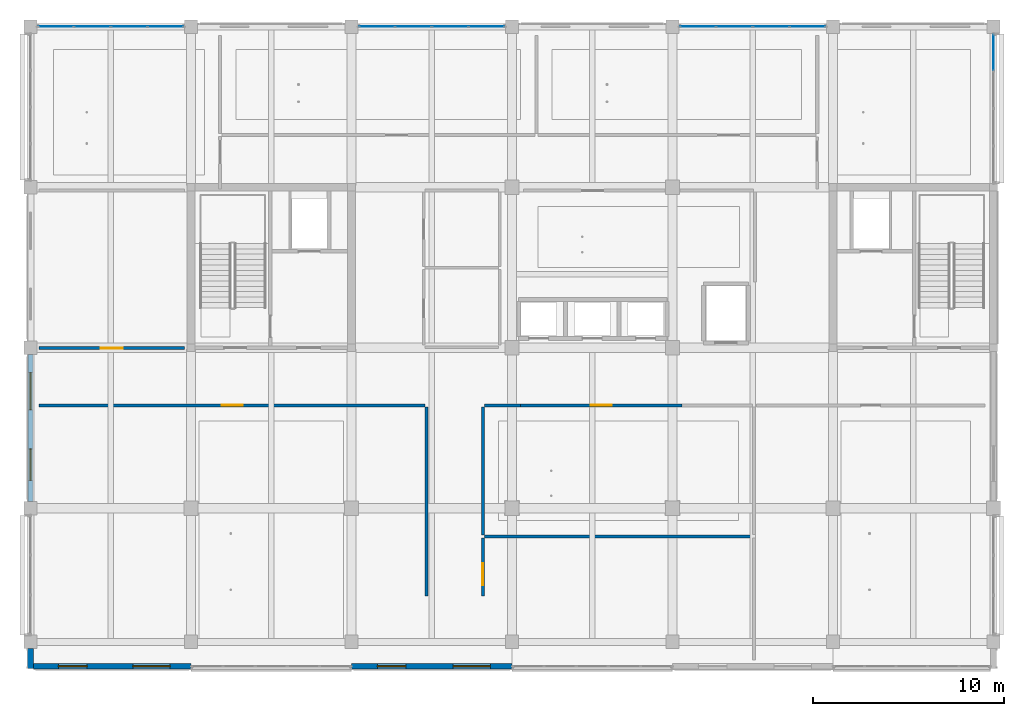
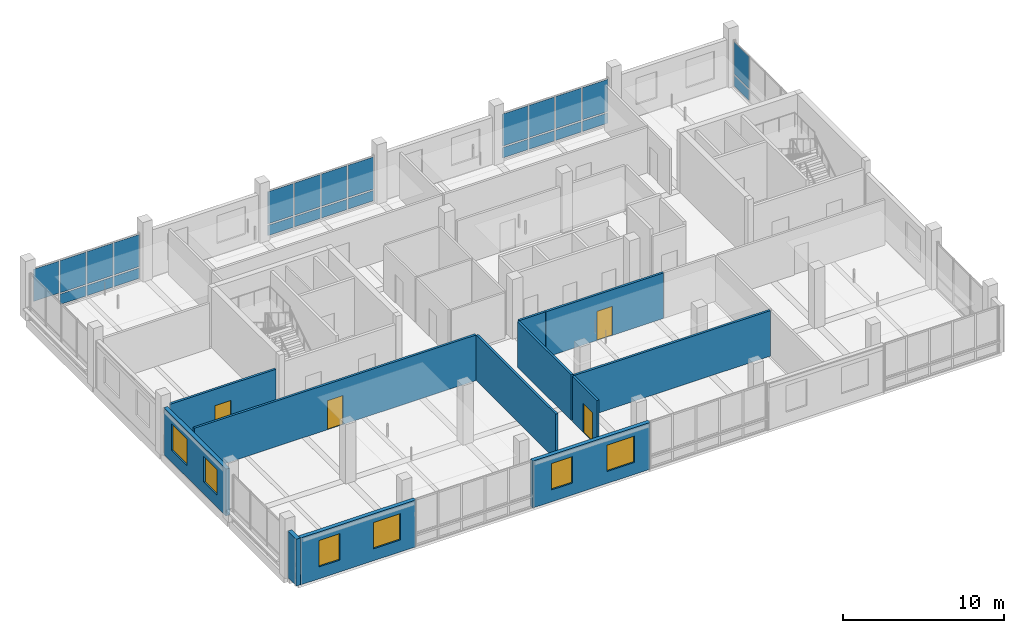
# One storey, part 11 of 35: 25 plates, 12 walls, 6 windows, 4 doors, 10 openings, 4 elements without a shape of their own.
"""IFC4 building model written with IfcOpenShell, lengths in metres."""

from ifc_helpers import new_model, si_unit, direction, frame, frame_2d, origin, origin_2d, place, context, subcontext, project, spatial, rectangle, extrude, material, layer, layer_set, type_object, element, fill, aggregate, save


model = new_model("IFC4")

# Units and contexts
model_context = context("Model", 3, precision=1e-05, world=origin(), true_north=direction((0.0, 1.0)))
body_context = subcontext(model_context, "Body", "Model", "MODEL_VIEW")
ifc_project = project(units=[si_unit("LENGTHUNIT", "METRE"), si_unit("AREAUNIT", "SQUARE_METRE"), si_unit("VOLUMEUNIT", "CUBIC_METRE"), si_unit("PLANEANGLEUNIT", "RADIAN"), si_unit("MASSUNIT", "GRAM", prefix="KILO")], contexts=[model_context])

# Site, building, storey
site_placement = place(None, origin())
site = spatial("IfcSite", under=ifc_project, at=site_placement, CompositionType="ELEMENT")
building_placement = place(site_placement, origin())
building = spatial("IfcBuilding", under=site, at=building_placement, Name="Telukmera Botanical Conservatory", CompositionType="ELEMENT")
storey_placement = place(building_placement, frame((0.0, 0.0, 46.5)))
storey = spatial("IfcBuildingStorey", under=building, at=storey_placement, Name="L10", CompositionType="ELEMENT", Elevation=46.5)

# Curtain wall, plates
ifc_material_1 = material(Name="Anodised aluminium 6063-T6", Category="aluminium")
ifc_layer_1 = layer(ifc_material_1, 0.179931640625)
ifc_layer_set_1 = layer_set([ifc_layer_1], Name="Anodised aluminium 6063-T6")
curtain_wall_type = type_object("IfcCurtainWallType", Name="Tower Research Laboratory Unitised Curtain Wall", PredefinedType="USERDEFINED", material=ifc_layer_set_1)
curtain_wall_1_placement = place(storey_placement, origin())
curtain_wall_1 = element("IfcCurtainWall", 1, at=curtain_wall_1_placement, inside=storey, type_object=curtain_wall_type, Name="Unitised Curtain Wall CW15 V4:L10:N1", ObjectType="UNITISED CURTAIN WALL", PredefinedType="USERDEFINED")
ifc_material_2 = material(Name="Spectrally selective low-E double glazing", Category="glass")
ifc_layer_2 = layer(ifc_material_2, 0.028076171875)
ifc_layer_set_2 = layer_set([ifc_layer_2], Name="Spectrally selective low-E double glazing")
plate_type = type_object("IfcPlateType", Name="Spectrally Selective Vision Double Glazing Panel 28", PredefinedType="CURTAIN_PANEL", material=ifc_layer_set_2)
plate_1_placement = place(storey_placement, frame((51.72900390625, 42.800048828125, 1.0048828125), z_axis=(0.0, 0.0, 1.0), x_axis=(1.0, 0.0, 0.0)))
plate_1 = element("IfcPlate", 2, at=plate_1_placement, type_object=plate_type, Name="CW15 panel 1.2", PredefinedType="CURTAIN_PANEL", context=body_context, shape_type="SweptSolid", body=[
    extrude(rectangle(XDim=1.833984375, YDim=0.028076171875, at=origin_2d()), origin(), (0.0, 0.0, 1.0), 2.43505859375),
])
plate_2_placement = place(storey_placement, frame((53.637939453125, 42.800048828125, 0.10986328125), z_axis=(0.0, 0.0, 1.0), x_axis=(1.0, 0.0, 0.0)))
plate_2 = element("IfcPlate", 3, at=plate_2_placement, type_object=plate_type, Name="CW15 panel 2.1", PredefinedType="CURTAIN_PANEL", context=body_context, shape_type="SweptSolid", body=[
    extrude(rectangle(XDim=1.864013671875, YDim=0.028076171875, at=origin_2d()), origin(), (0.0, 0.0, 1.0), 0.784912109375),
])
plate_3_placement = place(storey_placement, frame((53.637939453125, 42.800048828125, 1.0048828125), z_axis=(0.0, 0.0, 1.0), x_axis=(1.0, 0.0, 0.0)))
plate_3 = element("IfcPlate", 4, at=plate_3_placement, type_object=plate_type, Name="CW15 panel 2.2", PredefinedType="CURTAIN_PANEL", context=body_context, shape_type="SweptSolid", body=[
    extrude(rectangle(XDim=1.864013671875, YDim=0.028076171875, at=origin_2d()), origin(), (0.0, 0.0, 1.0), 2.43505859375),
])
plate_4_placement = place(storey_placement, frame((55.56201171875, 42.800048828125, 0.10986328125), z_axis=(0.0, 0.0, 1.0), x_axis=(1.0, 0.0, 0.0)))
plate_4 = element("IfcPlate", 5, at=plate_4_placement, type_object=plate_type, Name="CW15 panel 3.1", PredefinedType="CURTAIN_PANEL", context=body_context, shape_type="SweptSolid", body=[
    extrude(rectangle(XDim=1.864013671875, YDim=0.028076171875, at=origin_2d()), origin(), (0.0, 0.0, 1.0), 0.784912109375),
])
plate_5_placement = place(storey_placement, frame((55.56201171875, 42.800048828125, 1.0048828125), z_axis=(0.0, 0.0, 1.0), x_axis=(1.0, 0.0, 0.0)))
plate_5 = element("IfcPlate", 6, at=plate_5_placement, type_object=plate_type, Name="CW15 panel 3.2", PredefinedType="CURTAIN_PANEL", context=body_context, shape_type="SweptSolid", body=[
    extrude(rectangle(XDim=1.864013671875, YDim=0.028076171875, at=origin_2d()), origin(), (0.0, 0.0, 1.0), 2.43505859375),
])
plate_6_placement = place(storey_placement, frame((57.470947265625, 42.800048828125, 0.10986328125), z_axis=(0.0, 0.0, 1.0), x_axis=(1.0, 0.0, 0.0)))
plate_6 = element("IfcPlate", 7, at=plate_6_placement, type_object=plate_type, Name="CW15 panel 4.1", PredefinedType="CURTAIN_PANEL", context=body_context, shape_type="SweptSolid", body=[
    extrude(rectangle(XDim=1.833984375, YDim=0.028076171875, at=origin_2d()), origin(), (0.0, 0.0, 1.0), 0.784912109375),
])
plate_7_placement = place(storey_placement, frame((57.470947265625, 42.800048828125, 1.0048828125), z_axis=(0.0, 0.0, 1.0), x_axis=(1.0, 0.0, 0.0)))
plate_7 = element("IfcPlate", 8, at=plate_7_placement, type_object=plate_type, Name="CW15 panel 4.2", PredefinedType="CURTAIN_PANEL", context=body_context, shape_type="SweptSolid", body=[
    extrude(rectangle(XDim=1.833984375, YDim=0.028076171875, at=origin_2d()), origin(), (0.0, 0.0, 1.0), 2.43505859375),
])
aggregate(curtain_wall_1, [plate_1, plate_2, plate_3, plate_4, plate_5, plate_6, plate_7])

curtain_wall_2_placement = place(storey_placement, origin())
curtain_wall_2 = element("IfcCurtainWall", 9, at=curtain_wall_2_placement, inside=storey, type_object=curtain_wall_type, Name="Unitised Curtain Wall CW15 V4:L10:N3", ObjectType="UNITISED CURTAIN WALL", PredefinedType="USERDEFINED")
plate_8_placement = place(storey_placement, frame((68.529052734375, 42.800048828125, 0.10986328125), z_axis=(0.0, 0.0, 1.0), x_axis=(1.0, 0.0, 0.0)))
plate_8 = element("IfcPlate", 10, at=plate_8_placement, type_object=plate_type, Name="CW15 panel 1.1", PredefinedType="CURTAIN_PANEL", context=body_context, shape_type="SweptSolid", body=[
    extrude(rectangle(XDim=1.833984375, YDim=0.028076171875, at=origin_2d()), origin(), (0.0, 0.0, 1.0), 0.784912109375),
])
plate_9_placement = place(storey_placement, frame((68.529052734375, 42.800048828125, 1.0048828125), z_axis=(0.0, 0.0, 1.0), x_axis=(1.0, 0.0, 0.0)))
plate_9 = element("IfcPlate", 11, at=plate_9_placement, type_object=plate_type, Name="CW15 panel 1.2", PredefinedType="CURTAIN_PANEL", context=body_context, shape_type="SweptSolid", body=[
    extrude(rectangle(XDim=1.833984375, YDim=0.028076171875, at=origin_2d()), origin(), (0.0, 0.0, 1.0), 2.43505859375),
])
plate_10_placement = place(storey_placement, frame((70.43798828125, 42.800048828125, 0.10986328125), z_axis=(0.0, 0.0, 1.0), x_axis=(1.0, 0.0, 0.0)))
plate_10 = element("IfcPlate", 12, at=plate_10_placement, type_object=plate_type, Name="CW15 panel 2.1", PredefinedType="CURTAIN_PANEL", context=body_context, shape_type="SweptSolid", body=[
    extrude(rectangle(XDim=1.864013671875, YDim=0.028076171875, at=origin_2d()), origin(), (0.0, 0.0, 1.0), 0.784912109375),
])
plate_11_placement = place(storey_placement, frame((70.43798828125, 42.800048828125, 1.0048828125), z_axis=(0.0, 0.0, 1.0), x_axis=(1.0, 0.0, 0.0)))
plate_11 = element("IfcPlate", 13, at=plate_11_placement, type_object=plate_type, Name="CW15 panel 2.2", PredefinedType="CURTAIN_PANEL", context=body_context, shape_type="SweptSolid", body=[
    extrude(rectangle(XDim=1.864013671875, YDim=0.028076171875, at=origin_2d()), origin(), (0.0, 0.0, 1.0), 2.43505859375),
])
plate_12_placement = place(storey_placement, frame((72.362060546875, 42.800048828125, 0.10986328125), z_axis=(0.0, 0.0, 1.0), x_axis=(1.0, 0.0, 0.0)))
plate_12 = element("IfcPlate", 14, at=plate_12_placement, type_object=plate_type, Name="CW15 panel 3.1", PredefinedType="CURTAIN_PANEL", context=body_context, shape_type="SweptSolid", body=[
    extrude(rectangle(XDim=1.864013671875, YDim=0.028076171875, at=origin_2d()), origin(), (0.0, 0.0, 1.0), 0.784912109375),
])
plate_13_placement = place(storey_placement, frame((72.362060546875, 42.800048828125, 1.0048828125), z_axis=(0.0, 0.0, 1.0), x_axis=(1.0, 0.0, 0.0)))
plate_13 = element("IfcPlate", 15, at=plate_13_placement, type_object=plate_type, Name="CW15 panel 3.2", PredefinedType="CURTAIN_PANEL", context=body_context, shape_type="SweptSolid", body=[
    extrude(rectangle(XDim=1.864013671875, YDim=0.028076171875, at=origin_2d()), origin(), (0.0, 0.0, 1.0), 2.43505859375),
])
plate_14_placement = place(storey_placement, frame((74.27099609375, 42.800048828125, 0.10986328125), z_axis=(0.0, 0.0, 1.0), x_axis=(1.0, 0.0, 0.0)))
plate_14 = element("IfcPlate", 16, at=plate_14_placement, type_object=plate_type, Name="CW15 panel 4.1", PredefinedType="CURTAIN_PANEL", context=body_context, shape_type="SweptSolid", body=[
    extrude(rectangle(XDim=1.833984375, YDim=0.028076171875, at=origin_2d()), origin(), (0.0, 0.0, 1.0), 0.784912109375),
])
plate_15_placement = place(storey_placement, frame((74.27099609375, 42.800048828125, 1.0048828125), z_axis=(0.0, 0.0, 1.0), x_axis=(1.0, 0.0, 0.0)))
plate_15 = element("IfcPlate", 17, at=plate_15_placement, type_object=plate_type, Name="CW15 panel 4.2", PredefinedType="CURTAIN_PANEL", context=body_context, shape_type="SweptSolid", body=[
    extrude(rectangle(XDim=1.833984375, YDim=0.028076171875, at=origin_2d()), origin(), (0.0, 0.0, 1.0), 2.43505859375),
])
aggregate(curtain_wall_2, [plate_8, plate_9, plate_10, plate_11, plate_12, plate_13, plate_14, plate_15])

curtain_wall_3_placement = place(storey_placement, origin())
curtain_wall_3 = element("IfcCurtainWall", 18, at=curtain_wall_3_placement, inside=storey, type_object=curtain_wall_type, Name="Unitised Curtain Wall CW15 V4:L10:N5", ObjectType="UNITISED CURTAIN WALL", PredefinedType="USERDEFINED")
plate_16_placement = place(storey_placement, frame((85.3291015625, 42.800048828125, 0.10986328125), z_axis=(0.0, 0.0, 1.0), x_axis=(1.0, 0.0, 0.0)))
plate_16 = element("IfcPlate", 19, at=plate_16_placement, type_object=plate_type, Name="CW15 panel 1.1", PredefinedType="CURTAIN_PANEL", context=body_context, shape_type="SweptSolid", body=[
    extrude(rectangle(XDim=1.833984375, YDim=0.028076171875, at=origin_2d()), origin(), (0.0, 0.0, 1.0), 0.784912109375),
])
plate_17_placement = place(storey_placement, frame((85.3291015625, 42.800048828125, 1.0048828125), z_axis=(0.0, 0.0, 1.0), x_axis=(1.0, 0.0, 0.0)))
plate_17 = element("IfcPlate", 20, at=plate_17_placement, type_object=plate_type, Name="CW15 panel 1.2", PredefinedType="CURTAIN_PANEL", context=body_context, shape_type="SweptSolid", body=[
    extrude(rectangle(XDim=1.833984375, YDim=0.028076171875, at=origin_2d()), origin(), (0.0, 0.0, 1.0), 2.43505859375),
])
plate_18_placement = place(storey_placement, frame((87.238037109375, 42.800048828125, 0.10986328125), z_axis=(0.0, 0.0, 1.0), x_axis=(1.0, 0.0, 0.0)))
plate_18 = element("IfcPlate", 21, at=plate_18_placement, type_object=plate_type, Name="CW15 panel 2.1", PredefinedType="CURTAIN_PANEL", context=body_context, shape_type="SweptSolid", body=[
    extrude(rectangle(XDim=1.864013671875, YDim=0.028076171875, at=origin_2d()), origin(), (0.0, 0.0, 1.0), 0.784912109375),
])
plate_19_placement = place(storey_placement, frame((87.238037109375, 42.800048828125, 1.0048828125), z_axis=(0.0, 0.0, 1.0), x_axis=(1.0, 0.0, 0.0)))
plate_19 = element("IfcPlate", 22, at=plate_19_placement, type_object=plate_type, Name="CW15 panel 2.2", PredefinedType="CURTAIN_PANEL", context=body_context, shape_type="SweptSolid", body=[
    extrude(rectangle(XDim=1.864013671875, YDim=0.028076171875, at=origin_2d()), origin(), (0.0, 0.0, 1.0), 2.43505859375),
])
plate_20_placement = place(storey_placement, frame((89.162109375, 42.800048828125, 0.10986328125), z_axis=(0.0, 0.0, 1.0), x_axis=(1.0, 0.0, 0.0)))
plate_20 = element("IfcPlate", 23, at=plate_20_placement, type_object=plate_type, Name="CW15 panel 3.1", PredefinedType="CURTAIN_PANEL", context=body_context, shape_type="SweptSolid", body=[
    extrude(rectangle(XDim=1.864013671875, YDim=0.028076171875, at=origin_2d()), origin(), (0.0, 0.0, 1.0), 0.784912109375),
])
plate_21_placement = place(storey_placement, frame((89.162109375, 42.800048828125, 1.0048828125), z_axis=(0.0, 0.0, 1.0), x_axis=(1.0, 0.0, 0.0)))
plate_21 = element("IfcPlate", 24, at=plate_21_placement, type_object=plate_type, Name="CW15 panel 3.2", PredefinedType="CURTAIN_PANEL", context=body_context, shape_type="SweptSolid", body=[
    extrude(rectangle(XDim=1.864013671875, YDim=0.028076171875, at=origin_2d()), origin(), (0.0, 0.0, 1.0), 2.43505859375),
])
plate_22_placement = place(storey_placement, frame((91.071044921875, 42.800048828125, 0.10986328125), z_axis=(0.0, 0.0, 1.0), x_axis=(1.0, 0.0, 0.0)))
plate_22 = element("IfcPlate", 25, at=plate_22_placement, type_object=plate_type, Name="CW15 panel 4.1", PredefinedType="CURTAIN_PANEL", context=body_context, shape_type="SweptSolid", body=[
    extrude(rectangle(XDim=1.833984375, YDim=0.028076171875, at=origin_2d()), origin(), (0.0, 0.0, 1.0), 0.784912109375),
])
plate_23_placement = place(storey_placement, frame((91.071044921875, 42.800048828125, 1.0048828125), z_axis=(0.0, 0.0, 1.0), x_axis=(1.0, 0.0, 0.0)))
plate_23 = element("IfcPlate", 26, at=plate_23_placement, type_object=plate_type, Name="CW15 panel 4.2", PredefinedType="CURTAIN_PANEL", context=body_context, shape_type="SweptSolid", body=[
    extrude(rectangle(XDim=1.833984375, YDim=0.028076171875, at=origin_2d()), origin(), (0.0, 0.0, 1.0), 2.43505859375),
])
aggregate(curtain_wall_3, [plate_16, plate_17, plate_18, plate_19, plate_20, plate_21, plate_22, plate_23])

curtain_wall_4_placement = place(storey_placement, origin())
curtain_wall_4 = element("IfcCurtainWall", 27, at=curtain_wall_4_placement, inside=storey, type_object=curtain_wall_type, Name="Unitised Curtain Wall CW15 V4:L10:E4", ObjectType="UNITISED CURTAIN WALL", PredefinedType="USERDEFINED")
plate_24_placement = place(storey_placement, frame((100.800048828125, 41.4521484375, 0.10986328125), z_axis=(0.0, 0.0, 1.0), x_axis=(0.0, 1.0, 0.0)))
plate_24 = element("IfcPlate", 28, at=plate_24_placement, type_object=plate_type, Name="CW15 panel 4.1", PredefinedType="CURTAIN_PANEL", context=body_context, shape_type="SweptSolid", body=[
    extrude(rectangle(XDim=1.87158203125, YDim=0.028076171875, at=origin_2d()), origin(), (0.0, 0.0, 1.0), 0.784912109375),
])
plate_25_placement = place(storey_placement, frame((100.800048828125, 41.4521484375, 1.0048828125), z_axis=(0.0, 0.0, 1.0), x_axis=(0.0, 1.0, 0.0)))
plate_25 = element("IfcPlate", 29, at=plate_25_placement, type_object=plate_type, Name="CW15 panel 4.2", PredefinedType="CURTAIN_PANEL", context=body_context, shape_type="SweptSolid", body=[
    extrude(rectangle(XDim=1.87158203125, YDim=0.028076171875, at=origin_2d()), origin(), (0.0, 0.0, 1.0), 2.43505859375),
])
aggregate(curtain_wall_4, [plate_24, plate_25])

# Wall, openings, windows
ifc_material_3 = material(Name="Precast concrete C40/50", Category="concrete")
ifc_layer_3 = layer(ifc_material_3, 0.280029296875)
ifc_layer_set_3 = layer_set([ifc_layer_3], Name="Precast concrete C40/50")
wall_type_1 = type_object("IfcWallType", Name="Exterior Laboratory Modular Precast Wall 280", PredefinedType="ELEMENTEDWALL", material=ifc_layer_set_3)
wall_1_placement = place(storey_placement, frame((50.552001953125, 9.320068359375, 0.0), z_axis=(0.0, 0.0, 1.0), x_axis=(1.0, 0.0, 0.0)))
wall_1 = element("IfcWall", 30, at=wall_1_placement, inside=storey, type_object=wall_type_1, Name="Exterior Precast Wall EW06 V4:L10:S1", PredefinedType="ELEMENTEDWALL", context=body_context, shape_type="SweptSolid", body=[
    extrude(rectangle(XDim=8.24609375, YDim=0.280029296875, at=frame_2d((4.123046875, 0.0))), origin(), (0.0, 0.0, 1.0), 3.550048828125),
])
opening_1_placement = place(wall_1_placement, frame((1.3115234375, 0.0, 0.89990234375)))
opening_1 = element("IfcOpeningElement", 31, at=opening_1_placement, cuts=wall_1, Name="Opening W06", PredefinedType="OPENING", context=body_context, shape_type="SweptSolid", body=[
    extrude(rectangle(XDim=1.5, YDim=2.0, at=frame_2d((0.75, 1.0))), frame((0.0, 0.14990234375, 0.0), z_axis=(0.0, -1.0, 0.0), x_axis=(1.0, 0.0, 0.0)), (0.0, 0.0, 1.0), 0.300048828125),
])
opening_2_placement = place(wall_1_placement, frame((5.20947265625, 0.0, 0.89990234375)))
opening_2 = element("IfcOpeningElement", 32, at=opening_2_placement, cuts=wall_1, Name="Opening W13", PredefinedType="OPENING", context=body_context, shape_type="SweptSolid", body=[
    extrude(rectangle(XDim=1.949951171875, YDim=2.0, at=frame_2d((0.97509765625, 1.0))), frame((0.0, 0.14990234375, 0.0), z_axis=(0.0, -1.0, 0.0), x_axis=(1.0, 0.0, 0.0)), (0.0, 0.0, 1.0), 0.300048828125),
])
ifc_material_4 = material(Name="Thermally broken anodised aluminium frame with low-E double glazing", Category="aluminium")
window_type_1 = type_object("IfcWindowType", Name="Double Vertical Laboratory Viewing Window 1500x2000", PartitioningType="DOUBLE_PANEL_VERTICAL", PredefinedType="WINDOW", material=ifc_material_4)
window_1_placement = place(opening_1_placement, origin())
window_1 = element("IfcWindow", 33, at=window_1_placement, inside=storey, type_object=window_type_1, Name="Facade Window W06 V4:L10:S1 1", OverallHeight=2.0, OverallWidth=1.5, PartitioningType="DOUBLE_PANEL_VERTICAL", PredefinedType="WINDOW", context=body_context, shape_type="SweptSolid", body=[
    extrude(rectangle(XDim=1.5, YDim=2.0, at=frame_2d((0.75, 1.0))), frame((0.0, 0.030029296875, 0.0), z_axis=(0.0, -1.0, 0.0), x_axis=(1.0, 0.0, 0.0)), (0.0, 0.0, 1.0), 0.06005859375),
])
fill(opening_1, window_1)
window_type_2 = type_object("IfcWindowType", Name="Triple Vertical Tissue Culture Lab Window 1950x2000", PartitioningType="TRIPLE_PANEL_VERTICAL", PredefinedType="WINDOW", material=ifc_material_4)
window_2_placement = place(opening_2_placement, origin())
window_2 = element("IfcWindow", 34, at=window_2_placement, inside=storey, type_object=window_type_2, Name="Facade Window W13 V4:L10:S1 2", OverallHeight=2.0, OverallWidth=1.949951171875, PartitioningType="TRIPLE_PANEL_VERTICAL", PredefinedType="WINDOW", context=body_context, shape_type="SweptSolid", body=[
    extrude(rectangle(XDim=1.949951171875, YDim=2.0, at=frame_2d((0.97509765625, 1.0))), frame((0.0, 0.030029296875, 0.0), z_axis=(0.0, -1.0, 0.0), x_axis=(1.0, 0.0, 0.0)), (0.0, 0.0, 1.0), 0.06005859375),
])
fill(opening_2, window_2)

wall_2_placement = place(storey_placement, frame((67.201904296875, 9.320068359375, 0.0), z_axis=(0.0, 0.0, 1.0), x_axis=(1.0, 0.0, 0.0)))
wall_2 = element("IfcWall", 35, at=wall_2_placement, inside=storey, type_object=wall_type_1, Name="Exterior Precast Wall EW06 V4:L10:S3", PredefinedType="ELEMENTEDWALL", context=body_context, shape_type="SweptSolid", body=[
    extrude(rectangle(XDim=8.39599609375, YDim=0.280029296875, at=frame_2d((4.197998046875, 0.0))), origin(), (0.0, 0.0, 1.0), 3.550048828125),
])
opening_3_placement = place(wall_2_placement, frame((1.34912109375, 0.0, 0.89990234375)))
opening_3 = element("IfcOpeningElement", 36, at=opening_3_placement, cuts=wall_2, Name="Opening W06", PredefinedType="OPENING", context=body_context, shape_type="SweptSolid", body=[
    extrude(rectangle(XDim=1.5, YDim=2.0, at=frame_2d((0.75, 1.0))), frame((0.0, 0.14990234375, 0.0), z_axis=(0.0, -1.0, 0.0), x_axis=(1.0, 0.0, 0.0)), (0.0, 0.0, 1.0), 0.300048828125),
])
opening_4_placement = place(wall_2_placement, frame((5.322021484375, 0.0, 0.89990234375)))
opening_4 = element("IfcOpeningElement", 37, at=opening_4_placement, cuts=wall_2, Name="Opening W13", PredefinedType="OPENING", context=body_context, shape_type="SweptSolid", body=[
    extrude(rectangle(XDim=1.949951171875, YDim=2.0, at=frame_2d((0.97509765625, 1.0))), frame((0.0, 0.14990234375, 0.0), z_axis=(0.0, -1.0, 0.0), x_axis=(1.0, 0.0, 0.0)), (0.0, 0.0, 1.0), 0.300048828125),
])
window_3_placement = place(opening_3_placement, origin())
window_3 = element("IfcWindow", 38, at=window_3_placement, inside=storey, type_object=window_type_1, Name="Facade Window W06 V4:L10:S3 1", OverallHeight=2.0, OverallWidth=1.5, PartitioningType="DOUBLE_PANEL_VERTICAL", PredefinedType="WINDOW", context=body_context, shape_type="SweptSolid", body=[
    extrude(rectangle(XDim=1.5, YDim=2.0, at=frame_2d((0.75, 1.0))), frame((0.0, 0.030029296875, 0.0), z_axis=(0.0, -1.0, 0.0), x_axis=(1.0, 0.0, 0.0)), (0.0, 0.0, 1.0), 0.06005859375),
])
fill(opening_3, window_3)
window_4_placement = place(opening_4_placement, origin())
window_4 = element("IfcWindow", 39, at=window_4_placement, inside=storey, type_object=window_type_2, Name="Facade Window W13 V4:L10:S3 2", OverallHeight=2.0, OverallWidth=1.949951171875, PartitioningType="TRIPLE_PANEL_VERTICAL", PredefinedType="WINDOW", context=body_context, shape_type="SweptSolid", body=[
    extrude(rectangle(XDim=1.949951171875, YDim=2.0, at=frame_2d((0.97509765625, 1.0))), frame((0.0, 0.030029296875, 0.0), z_axis=(0.0, -1.0, 0.0), x_axis=(1.0, 0.0, 0.0)), (0.0, 0.0, 1.0), 0.06005859375),
])
fill(opening_4, window_4)

wall_3_placement = place(storey_placement, frame((50.39990234375, 17.951904296875, 0.0), z_axis=(0.0, 0.0, 1.0), x_axis=(0.0, 1.0, 0.0)))
wall_3 = element("IfcWall", 40, at=wall_3_placement, inside=storey, type_object=wall_type_1, Name="Exterior Precast Wall EW06 V4:L10:W2", PredefinedType="ELEMENTEDWALL", context=body_context, shape_type="SweptSolid", body=[
    extrude(rectangle(XDim=7.696044921875, YDim=0.280029296875, at=frame_2d((3.84814453125, 0.0))), origin(), (0.0, 0.0, 1.0), 3.550048828125),
])
opening_5_placement = place(wall_3_placement, frame((1.09912109375, 0.0, 0.89990234375)))
opening_5 = element("IfcOpeningElement", 41, at=opening_5_placement, cuts=wall_3, Name="Opening W10", PredefinedType="OPENING", context=body_context, shape_type="SweptSolid", body=[
    extrude(rectangle(XDim=1.64990234375, YDim=1.949951171875, at=frame_2d((0.824951171875, 0.97509765625))), frame((0.0, 0.14990234375, 0.0), z_axis=(0.0, -1.0, 0.0), x_axis=(1.0, 0.0, 0.0)), (0.0, 0.0, 1.0), 0.300048828125),
])
opening_6_placement = place(wall_3_placement, frame((4.797119140625, 0.0, 0.89990234375)))
opening_6 = element("IfcOpeningElement", 42, at=opening_6_placement, cuts=wall_3, Name="Opening W13", PredefinedType="OPENING", context=body_context, shape_type="SweptSolid", body=[
    extrude(rectangle(XDim=1.949951171875, YDim=2.0, at=frame_2d((0.97509765625, 1.0))), frame((0.0, 0.14990234375, 0.0), z_axis=(0.0, -1.0, 0.0), x_axis=(1.0, 0.0, 0.0)), (0.0, 0.0, 1.0), 0.300048828125),
])
window_type_3 = type_object("IfcWindowType", Name="Double Horizontal Phytochemistry Lab Window 1650x1950", PartitioningType="DOUBLE_PANEL_HORIZONTAL", PredefinedType="WINDOW", material=ifc_material_4)
window_5_placement = place(opening_5_placement, origin())
window_5 = element("IfcWindow", 43, at=window_5_placement, inside=storey, type_object=window_type_3, Name="Facade Window W10 V4:L10:W2 1", OverallHeight=1.949951171875, OverallWidth=1.64990234375, PartitioningType="DOUBLE_PANEL_HORIZONTAL", PredefinedType="WINDOW", context=body_context, shape_type="SweptSolid", body=[
    extrude(rectangle(XDim=1.64990234375, YDim=1.949951171875, at=frame_2d((0.824951171875, 0.97509765625))), frame((0.0, 0.030029296875, 0.0), z_axis=(0.0, -1.0, 0.0), x_axis=(1.0, 0.0, 0.0)), (0.0, 0.0, 1.0), 0.06005859375),
])
fill(opening_5, window_5)
window_6_placement = place(opening_6_placement, origin())
window_6 = element("IfcWindow", 44, at=window_6_placement, inside=storey, type_object=window_type_2, Name="Facade Window W13 V4:L10:W2 2", OverallHeight=2.0, OverallWidth=1.949951171875, PartitioningType="TRIPLE_PANEL_VERTICAL", PredefinedType="WINDOW", context=body_context, shape_type="SweptSolid", body=[
    extrude(rectangle(XDim=1.949951171875, YDim=2.0, at=frame_2d((0.97509765625, 1.0))), frame((0.0, 0.030029296875, 0.0), z_axis=(0.0, -1.0, 0.0), x_axis=(1.0, 0.0, 0.0)), (0.0, 0.0, 1.0), 0.06005859375),
])
fill(opening_6, window_6)

# Wall
ifc_material_5 = material(Name="Terracotta-faced precast concrete C40/50", Category="masonry")
ifc_layer_4 = layer(ifc_material_5, 0.300048828125)
ifc_layer_set_4 = layer_set([ifc_layer_4], Name="Terracotta-faced precast concrete C40/50")
wall_type_2 = type_object("IfcWallType", Name="Exterior Polychrome Terracotta Precast Wall 300", PredefinedType="SOLIDWALL", material=ifc_layer_set_4)
wall_4_placement = place(storey_placement, frame((50.39990234375, 9.199951171875, 0.0), z_axis=(0.0, 0.0, 1.0), x_axis=(0.0, 1.0, 0.0)))
element("IfcWall", 45, at=wall_4_placement, inside=storey, type_object=wall_type_2, Name="Exterior Precast Wall EW02 V4:L10:SWC", PredefinedType="SOLIDWALL", context=body_context, shape_type="SweptSolid", body=[
    extrude(rectangle(XDim=1.048095703125, YDim=0.300048828125, at=frame_2d((0.52392578125, 0.0))), origin(), (0.0, 0.0, 1.0), 3.550048828125),
])

# Wall, opening, door
ifc_material_6 = material(Name="Gypsum acoustic stud partition")
ifc_layer_5 = layer(ifc_material_6, 0.159912109375)
ifc_layer_set_5 = layer_set([ifc_layer_5], Name="Gypsum acoustic stud partition")
wall_type_3 = type_object("IfcWallType", Name="WT-LAB-160", PredefinedType="PARTITIONING", material=ifc_layer_set_5)
wall_5_placement = place(storey_placement, frame((50.85009765625, 25.97509765625, 0.0), z_axis=(0.0, 0.0, 1.0), x_axis=(1.0, 0.0, 0.0)))
wall_5 = element("IfcWall", 46, at=wall_5_placement, inside=storey, type_object=wall_type_3, Name="L10 Interior Partition 09", PredefinedType="PARTITIONING", context=body_context, shape_type="SweptSolid", body=[
    extrude(rectangle(XDim=7.599853515625, YDim=0.159912109375, at=frame_2d((3.7998046875, 0.0))), origin(), (0.0, 0.0, 1.0), 3.449951171875),
])
opening_7_placement = place(wall_5_placement, frame((3.22998046875, 0.0, 0.0)))
opening_7 = element("IfcOpeningElement", 47, at=opening_7_placement, cuts=wall_5, Name="Opening ID10", PredefinedType="OPENING", context=body_context, shape_type="SweptSolid", body=[
    extrude(rectangle(XDim=1.139892578125, YDim=2.219970703125, at=frame_2d((0.56982421875, 1.10986328125))), frame((0.0, 0.08984375, 0.0), z_axis=(0.0, -1.0, 0.0), x_axis=(1.0, 0.0, 0.0)), (0.0, 0.0, 1.0), 0.179931640625),
])
ifc_material_7 = material(Name="Sealed steel herbarium door", Category="steel")
door_type_1 = type_object("IfcDoorType", Name="DT-HERB-114", OperationType="NOTDEFINED", PredefinedType="DOOR", material=ifc_material_7)
door_1_placement = place(opening_7_placement, origin())
door_1 = element("IfcDoor", 48, at=door_1_placement, inside=storey, type_object=door_type_1, Name="L10 Cryopreservation Preparation Room Door", OperationType="SINGLE_SWING_RIGHT", OverallHeight=2.219970703125, OverallWidth=1.139892578125, PredefinedType="DOOR", context=body_context, shape_type="SweptSolid", body=[
    extrude(rectangle(XDim=1.139892578125, YDim=2.219970703125, at=frame_2d((0.56982421875, 1.10986328125))), frame((0.0, 0.02490234375, 0.0), z_axis=(0.0, -1.0, 0.0), x_axis=(1.0, 0.0, 0.0)), (0.0, 0.0, 1.0), 0.050048828125),
])
fill(opening_7, door_1)

wall_6_placement = place(storey_placement, frame((76.050048828125, 22.97509765625, 0.0), z_axis=(0.0, 0.0, 1.0), x_axis=(1.0, 0.0, 0.0)))
wall_6 = element("IfcWall", 49, at=wall_6_placement, inside=storey, type_object=wall_type_3, Name="L10 Interior Partition 11", PredefinedType="PARTITIONING", context=body_context, shape_type="SweptSolid", body=[
    extrude(rectangle(XDim=8.449951171875, YDim=0.159912109375, at=frame_2d((4.22509765625, 0.0))), origin(), (0.0, 0.0, 1.0), 3.449951171875),
])
opening_8_placement = place(wall_6_placement, frame((3.675048828125, 0.0, 0.0)))
opening_8 = element("IfcOpeningElement", 50, at=opening_8_placement, cuts=wall_6, Name="Opening ID11", PredefinedType="OPENING", context=body_context, shape_type="SweptSolid", body=[
    extrude(rectangle(XDim=1.10009765625, YDim=2.199951171875, at=frame_2d((0.550048828125, 1.10009765625))), frame((0.0, 0.08984375, 0.0), z_axis=(0.0, -1.0, 0.0), x_axis=(1.0, 0.0, 0.0)), (0.0, 0.0, 1.0), 0.179931640625),
])
ifc_material_8 = material(Name="Flush cleanroom laboratory door")
door_type_2 = type_object("IfcDoorType", Name="DT-TC-110", OperationType="NOTDEFINED", PredefinedType="DOOR", material=ifc_material_8)
door_2_placement = place(opening_8_placement, frame((1.10009765625, 0.0, 0.0), z_axis=(0.0, 0.0, 1.0), x_axis=(-1.0, 0.0, 0.0)))
door_2 = element("IfcDoor", 51, at=door_2_placement, inside=storey, type_object=door_type_2, Name="L10 In Vitro Micropropagation Room Door", OperationType="SINGLE_SWING_RIGHT", OverallHeight=2.199951171875, OverallWidth=1.10009765625, PredefinedType="DOOR", context=body_context, shape_type="SweptSolid", body=[
    extrude(rectangle(XDim=1.10009765625, YDim=2.199951171875, at=frame_2d((0.550048828125, 1.10009765625))), frame((0.0, 0.02490234375, 0.0), z_axis=(0.0, -1.0, 0.0), x_axis=(1.0, 0.0, 0.0)), (0.0, 0.0, 1.0), 0.050048828125),
])
fill(opening_8, door_2)

wall_7_placement = place(storey_placement, frame((50.85009765625, 22.97509765625, 0.0), z_axis=(0.0, 0.0, 1.0), x_axis=(1.0, 0.0, 0.0)))
wall_7 = element("IfcWall", 52, at=wall_7_placement, inside=storey, type_object=wall_type_3, Name="L10 Interior Partition 13", PredefinedType="PARTITIONING", context=body_context, shape_type="SweptSolid", body=[
    extrude(rectangle(XDim=20.199951171875, YDim=0.159912109375, at=frame_2d((10.10009765625, 0.0))), origin(), (0.0, 0.0, 1.0), 3.449951171875),
])
opening_9_placement = place(wall_7_placement, frame((9.550048828125, 0.0, 0.0)))
opening_9 = element("IfcOpeningElement", 53, at=opening_9_placement, cuts=wall_7, Name="Opening ID11", PredefinedType="OPENING", context=body_context, shape_type="SweptSolid", body=[
    extrude(rectangle(XDim=1.10009765625, YDim=2.199951171875, at=frame_2d((0.550048828125, 1.10009765625))), frame((0.0, 0.08984375, 0.0), z_axis=(0.0, -1.0, 0.0), x_axis=(1.0, 0.0, 0.0)), (0.0, 0.0, 1.0), 0.179931640625),
])
door_3_placement = place(opening_9_placement, frame((1.10009765625, 0.0, 0.0), z_axis=(0.0, 0.0, 1.0), x_axis=(-1.0, 0.0, 0.0)))
door_3 = element("IfcDoor", 54, at=door_3_placement, inside=storey, type_object=door_type_2, Name="L10 Tissue Culture Laboratory Door", OperationType="SINGLE_SWING_LEFT", OverallHeight=2.199951171875, OverallWidth=1.10009765625, PredefinedType="DOOR", context=body_context, shape_type="SweptSolid", body=[
    extrude(rectangle(XDim=1.10009765625, YDim=2.199951171875, at=frame_2d((0.550048828125, 1.10009765625))), frame((0.0, 0.02490234375, 0.0), z_axis=(0.0, -1.0, 0.0), x_axis=(1.0, 0.0, 0.0)), (0.0, 0.0, 1.0), 0.050048828125),
])
fill(opening_9, door_3)

# Walls
wall_8_placement = place(storey_placement, frame((74.14990234375, 22.97509765625, 0.0), z_axis=(0.0, 0.0, 1.0), x_axis=(1.0, 0.0, 0.0)))
element("IfcWall", 55, at=wall_8_placement, inside=storey, type_object=wall_type_3, Name="L10 Interior Partition 14", PredefinedType="PARTITIONING", context=body_context, shape_type="SweptSolid", body=[
    extrude(rectangle(XDim=1.89013671875, YDim=0.159912109375, at=frame_2d((0.945068359375, 0.0))), origin(), (0.0, 0.0, 1.0), 3.449951171875),
])
wall_9_placement = place(storey_placement, frame((71.125, 13.0, 0.0), z_axis=(0.0, 0.0, 1.0), x_axis=(0.0, 1.0, 0.0)))
element("IfcWall", 56, at=wall_9_placement, inside=storey, type_object=wall_type_3, Name="L10 Interior Partition 16", PredefinedType="PARTITIONING", context=body_context, shape_type="SweptSolid", body=[
    extrude(rectangle(XDim=9.885009765625, YDim=0.159912109375, at=frame_2d((4.9423828125, 0.0))), origin(), (0.0, 0.0, 1.0), 3.449951171875),
])
wall_10_placement = place(storey_placement, frame((74.074951171875, 16.199951171875, 0.0), z_axis=(0.0, 0.0, 1.0), x_axis=(0.0, 1.0, 0.0)))
element("IfcWall", 57, at=wall_10_placement, inside=storey, type_object=wall_type_3, Name="L10 Interior Partition 17", PredefinedType="PARTITIONING", context=body_context, shape_type="SweptSolid", body=[
    extrude(rectangle(XDim=6.68505859375, YDim=0.159912109375, at=frame_2d((3.342529296875, 0.0))), origin(), (0.0, 0.0, 1.0), 3.449951171875),
])

# Wall, opening, door
wall_11_placement = place(storey_placement, frame((74.074951171875, 13.0, 0.0), z_axis=(0.0, 0.0, 1.0), x_axis=(0.0, 1.0, 0.0)))
wall_11 = element("IfcWall", 58, at=wall_11_placement, inside=storey, type_object=wall_type_3, Name="L10 Interior Partition 18", PredefinedType="PARTITIONING", context=body_context, shape_type="SweptSolid", body=[
    extrude(rectangle(XDim=3.050048828125, YDim=0.159912109375, at=frame_2d((1.52490234375, 0.0))), origin(), (0.0, 0.0, 1.0), 3.449951171875),
])
opening_10_placement = place(wall_11_placement, frame((0.558837890625, 0.0, 0.0)))
opening_10 = element("IfcOpeningElement", 59, at=opening_10_placement, cuts=wall_11, Name="Opening ID09", PredefinedType="OPENING", context=body_context, shape_type="SweptSolid", body=[
    extrude(rectangle(XDim=1.159912109375, YDim=2.199951171875, at=frame_2d((0.580078125, 1.10009765625))), frame((0.0, 0.08984375, 0.0), z_axis=(0.0, -1.0, 0.0), x_axis=(1.0, 0.0, 0.0)), (0.0, 0.0, 1.0), 0.179931640625),
])
ifc_material_9 = material(Name="Phenolic faced laboratory fire door")
door_type_3 = type_object("IfcDoorType", Name="DT-LAB-116", OperationType="NOTDEFINED", PredefinedType="DOOR", material=ifc_material_9)
door_4_placement = place(opening_10_placement, frame((1.159912109375, 0.0, 0.0), z_axis=(0.0, 0.0, 1.0), x_axis=(-1.0, 0.0, 0.0)))
door_4 = element("IfcDoor", 60, at=door_4_placement, inside=storey, type_object=door_type_3, Name="L10 Photoperiod Growth Chamber Room Door", OperationType="SINGLE_SWING_LEFT", OverallHeight=2.199951171875, OverallWidth=1.159912109375, PredefinedType="DOOR", context=body_context, shape_type="SweptSolid", body=[
    extrude(rectangle(XDim=1.159912109375, YDim=2.199951171875, at=frame_2d((0.580078125, 1.10009765625))), frame((0.0, 0.02490234375, 0.0), z_axis=(0.0, -1.0, 0.0), x_axis=(1.0, 0.0, 0.0)), (0.0, 0.0, 1.0), 0.050048828125),
])
fill(opening_10, door_4)

# Wall
wall_12_placement = place(storey_placement, frame((74.1650390625, 16.125, 0.0), z_axis=(0.0, 0.0, 1.0), x_axis=(1.0, 0.0, 0.0)))
element("IfcWall", 61, at=wall_12_placement, inside=storey, type_object=wall_type_3, Name="L10 Interior Partition 19", PredefinedType="PARTITIONING", context=body_context, shape_type="SweptSolid", body=[
    extrude(rectangle(XDim=14.034912109375, YDim=0.159912109375, at=frame_2d((7.017578125, 0.0))), origin(), (0.0, 0.0, 1.0), 3.449951171875),
])

save(model, "model.ifc")
